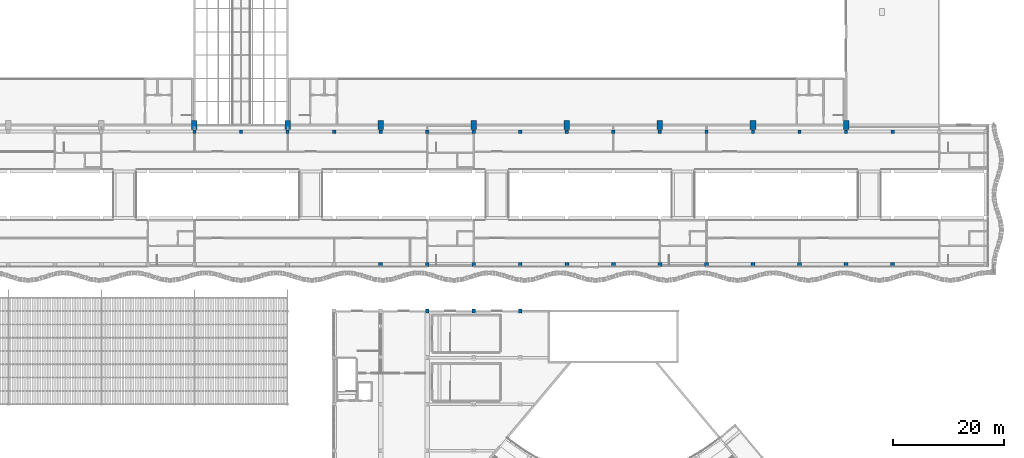
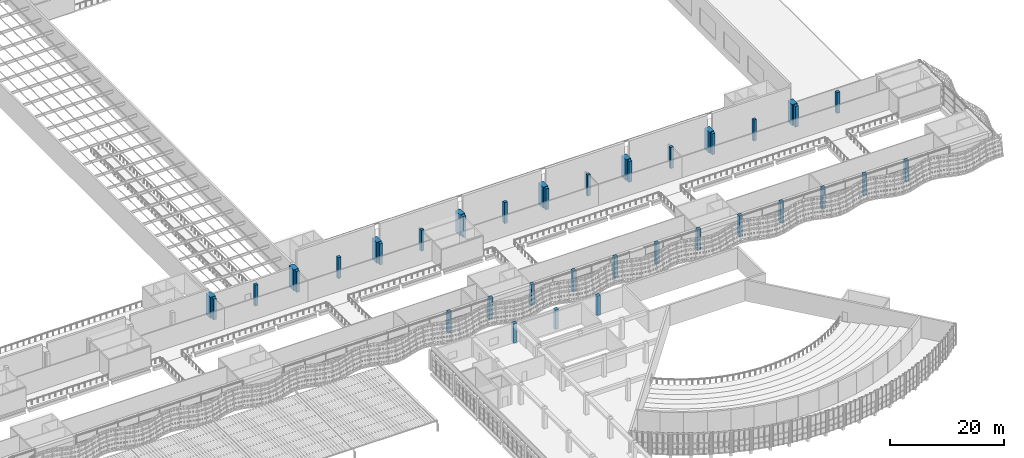
# One storey, part 13 of 162: 39 columns.
"""IFC4 building model written with IfcOpenShell, lengths in metres."""

from ifc_helpers import new_model, si_unit, direction, frame, origin, origin_2d, place, context, subcontext, project, spatial, rectangle, extrude, material, material_profile, profile_set, type_object, element, save


model = new_model("IFC4")

# Units and contexts
model_context = context("Model", 3, precision=1e-05, world=origin(), true_north=direction((0.0, 1.0)))
body_context = subcontext(model_context, "Body", "Model", "MODEL_VIEW")
ifc_project = project(units=[si_unit("LENGTHUNIT", "METRE"), si_unit("AREAUNIT", "SQUARE_METRE"), si_unit("VOLUMEUNIT", "CUBIC_METRE"), si_unit("PLANEANGLEUNIT", "RADIAN"), si_unit("MASSUNIT", "GRAM", prefix="KILO")], contexts=[model_context])

# Site, building, storey
site_placement = place(None, origin())
site = spatial("IfcSite", under=ifc_project, at=site_placement, CompositionType="ELEMENT")
building_placement = place(site_placement, origin())
building = spatial("IfcBuilding", under=site, at=building_placement, Name="Rain Tree Exposition and Congress Centre", CompositionType="ELEMENT")
storey_placement = place(building_placement, frame((0.0, 0.0, 6.0)))
storey = spatial("IfcBuildingStorey", under=building, at=storey_placement, Name="L01", CompositionType="ELEMENT", Elevation=6.0)

# Columns
ifc_material_1 = material(Name="Precast concrete C50/60", Category="concrete")
ifc_material_profile_1 = material_profile(ifc_material_1, rectangle(XDim=1.0, YDim=1.60009765625, at=origin_2d()), Name="RC 1000x1600")
ifc_profile_set_1 = profile_set([ifc_material_profile_1], Name="Precast concrete C50/60")
column_type_1 = type_object("IfcColumnType", Name="Precast column 1000x1600", PredefinedType="COLUMN", material=ifc_profile_set_1)
for number, where, z_axis, x_axis, name in (
    (1, (126.0, 100.800048828125, 0.0), (0.0, 0.0, 1.0), (1.0, 0.0, 0.0), "Expressed column 8"),
    (2, (142.800048828125, 100.800048828125, 0.0), (0.0, 0.0, 1.0), (1.0, 0.0, 0.0), "Expressed column 1"),
    (3, (159.60009765625, 100.800048828125, 0.0), (0.0, 0.0, 1.0), (1.0, 0.0, 0.0), "Expressed column 2"),
    (4, (176.39990234375, 100.800048828125, 0.0), (0.0, 0.0, 1.0), (1.0, 0.0, 0.0), "Expressed column 3"),
    (5, (193.199951171875, 100.800048828125, 0.0), (0.0, 0.0, 1.0), (1.0, 0.0, 0.0), "Expressed column 4"),
    (6, (210.0, 100.800048828125, 0.0), (0.0, 0.0, 1.0), (1.0, 0.0, 0.0), "Expressed column 5"),
    (7, (226.800048828125, 100.800048828125, 0.0), (0.0, 0.0, 1.0), (1.0, 0.0, 0.0), "Expressed column 6"),
    (8, (243.60009765625, 100.800048828125, 0.0), (0.0, 0.0, 1.0), (1.0, 0.0, 0.0), "Expressed column 7"),
):
    element("IfcColumn", number, at=place(storey_placement, frame(where, z_axis=z_axis, x_axis=x_axis)), inside=storey, type_object=column_type_1, Name=name, PredefinedType="COLUMN", context=body_context, shape_type="SweptSolid", body=[
        extrude(rectangle(XDim=1.0, YDim=1.60009765625, at=origin_2d()), origin(), (0.0, 0.0, 1.0), 4.5),
    ])
ifc_material_2 = material(Name="Precast concrete C50/60", Category="concrete")
ifc_material_profile_2 = material_profile(ifc_material_2, rectangle(XDim=0.60009765625, YDim=0.60009765625, at=origin_2d()), Name="RC 600x600")
ifc_profile_set_2 = profile_set([ifc_material_profile_2], Name="Precast concrete C50/60")
column_type_2 = type_object("IfcColumnType", Name="Precast column 600x600", PredefinedType="COLUMN", material=ifc_profile_set_2)
for number, where, z_axis, x_axis, name in (
    (9, (126.0, 99.60009765625, 0.0), (0.0, 0.0, 1.0), (1.0, 0.0, 0.0), "Concourse column L01 B16"),
    (10, (134.39990234375, 99.60009765625, 0.0), (0.0, 0.0, 1.0), (1.0, 0.0, 0.0), "Concourse column L01 B17"),
    (11, (142.800048828125, 99.60009765625, 0.0), (0.0, 0.0, 1.0), (1.0, 0.0, 0.0), "Concourse column L01 B18"),
    (12, (151.199951171875, 99.60009765625, 0.0), (0.0, 0.0, 1.0), (1.0, 0.0, 0.0), "Concourse column L01 B19"),
    (13, (159.60009765625, 99.60009765625, 0.0), (0.0, 0.0, 1.0), (1.0, 0.0, 0.0), "Concourse column L01 B20"),
    (14, (168.0, 99.60009765625, 0.0), (0.0, 0.0, 1.0), (1.0, 0.0, 0.0), "Concourse column L01 B21"),
    (15, (176.39990234375, 99.60009765625, 0.0), (0.0, 0.0, 1.0), (1.0, 0.0, 0.0), "Concourse column L01 B22"),
    (16, (184.800048828125, 99.60009765625, 0.0), (0.0, 0.0, 1.0), (1.0, 0.0, 0.0), "Concourse column L01 B23"),
    (17, (193.199951171875, 99.60009765625, 0.0), (0.0, 0.0, 1.0), (1.0, 0.0, 0.0), "Concourse column L01 B24"),
    (18, (201.60009765625, 99.60009765625, 0.0), (0.0, 0.0, 1.0), (1.0, 0.0, 0.0), "Concourse column L01 B25"),
    (19, (210.0, 99.60009765625, 0.0), (0.0, 0.0, 1.0), (1.0, 0.0, 0.0), "Concourse column L01 B26"),
    (20, (218.39990234375, 99.60009765625, 0.0), (0.0, 0.0, 1.0), (1.0, 0.0, 0.0), "Concourse column L01 B27"),
    (21, (226.800048828125, 99.60009765625, 0.0), (0.0, 0.0, 1.0), (1.0, 0.0, 0.0), "Concourse column L01 B28"),
    (22, (235.199951171875, 99.60009765625, 0.0), (0.0, 0.0, 1.0), (1.0, 0.0, 0.0), "Concourse column L01 B29"),
    (23, (243.60009765625, 99.60009765625, 0.0), (0.0, 0.0, 1.0), (1.0, 0.0, 0.0), "Concourse column L01 B30"),
    (24, (252.0, 99.60009765625, 0.0), (0.0, 0.0, 1.0), (1.0, 0.0, 0.0), "Concourse column L01 B31"),
):
    element("IfcColumn", number, at=place(storey_placement, frame(where, z_axis=z_axis, x_axis=x_axis)), inside=storey, type_object=column_type_2, Name=name, PredefinedType="COLUMN", context=body_context, shape_type="SweptSolid", body=[
        extrude(rectangle(XDim=0.60009765625, YDim=0.60009765625, at=origin_2d()), origin(), (0.0, 0.0, 1.0), 4.5),
    ])
ifc_material_3 = material(Name="Precast concrete C50/60", Category="concrete")
ifc_material_profile_3 = material_profile(ifc_material_3, rectangle(XDim=0.699951171875, YDim=0.699951171875, at=origin_2d()), Name="RC 700x700")
ifc_profile_set_3 = profile_set([ifc_material_profile_3], Name="Precast concrete C50/60")
column_type_3 = type_object("IfcColumnType", Name="Precast column 700x700", PredefinedType="COLUMN", material=ifc_profile_set_3)
for number, where, z_axis, x_axis, name in (
    (25, (168.0, 67.199951171875, 0.0), (0.0, 0.0, 1.0), (1.0, 0.0, 0.0), "CF168-67.2"),
    (26, (176.39990234375, 67.199951171875, 0.0), (0.0, 0.0, 1.0), (1.0, 0.0, 0.0), "CF176.4-67.2"),
    (27, (184.800048828125, 67.199951171875, 0.0), (0.0, 0.0, 1.0), (1.0, 0.0, 0.0), "CF184.8-67.2"),
):
    element("IfcColumn", number, at=place(storey_placement, frame(where, z_axis=z_axis, x_axis=x_axis)), inside=storey, type_object=column_type_3, Name=name, PredefinedType="COLUMN", context=body_context, shape_type="SweptSolid", body=[
        extrude(rectangle(XDim=0.699951171875, YDim=0.699951171875, at=origin_2d()), origin(), (0.0, 0.0, 1.0), 4.199951171875),
    ])
for number, where, z_axis, x_axis, name in (
    (28, (159.60009765625, 75.60009765625, 0.0), (0.0, 0.0, 1.0), (1.0, 0.0, 0.0), "Concourse column L01 A20"),
    (29, (168.0, 75.60009765625, 0.0), (0.0, 0.0, 1.0), (1.0, 0.0, 0.0), "Concourse column L01 A21"),
    (30, (176.39990234375, 75.60009765625, 0.0), (0.0, 0.0, 1.0), (1.0, 0.0, 0.0), "Concourse column L01 A22"),
    (31, (184.800048828125, 75.60009765625, 0.0), (0.0, 0.0, 1.0), (1.0, 0.0, 0.0), "Concourse column L01 A23"),
    (32, (193.199951171875, 75.60009765625, 0.0), (0.0, 0.0, 1.0), (1.0, 0.0, 0.0), "Concourse column L01 A24"),
    (33, (201.60009765625, 75.60009765625, 0.0), (0.0, 0.0, 1.0), (1.0, 0.0, 0.0), "Concourse column L01 A25"),
    (34, (210.0, 75.60009765625, 0.0), (0.0, 0.0, 1.0), (1.0, 0.0, 0.0), "Concourse column L01 A26"),
    (35, (218.39990234375, 75.60009765625, 0.0), (0.0, 0.0, 1.0), (1.0, 0.0, 0.0), "Concourse column L01 A27"),
    (36, (226.800048828125, 75.60009765625, 0.0), (0.0, 0.0, 1.0), (1.0, 0.0, 0.0), "Concourse column L01 A28"),
    (37, (235.199951171875, 75.60009765625, 0.0), (0.0, 0.0, 1.0), (1.0, 0.0, 0.0), "Concourse column L01 A29"),
    (38, (243.60009765625, 75.60009765625, 0.0), (0.0, 0.0, 1.0), (1.0, 0.0, 0.0), "Concourse column L01 A30"),
    (39, (252.0, 75.60009765625, 0.0), (0.0, 0.0, 1.0), (1.0, 0.0, 0.0), "Concourse column L01 A31"),
):
    element("IfcColumn", number, at=place(storey_placement, frame(where, z_axis=z_axis, x_axis=x_axis)), inside=storey, type_object=column_type_3, Name=name, PredefinedType="COLUMN", context=body_context, shape_type="SweptSolid", body=[
        extrude(rectangle(XDim=0.699951171875, YDim=0.699951171875, at=origin_2d()), origin(), (0.0, 0.0, 1.0), 4.5),
    ])

save(model, "model.ifc")
